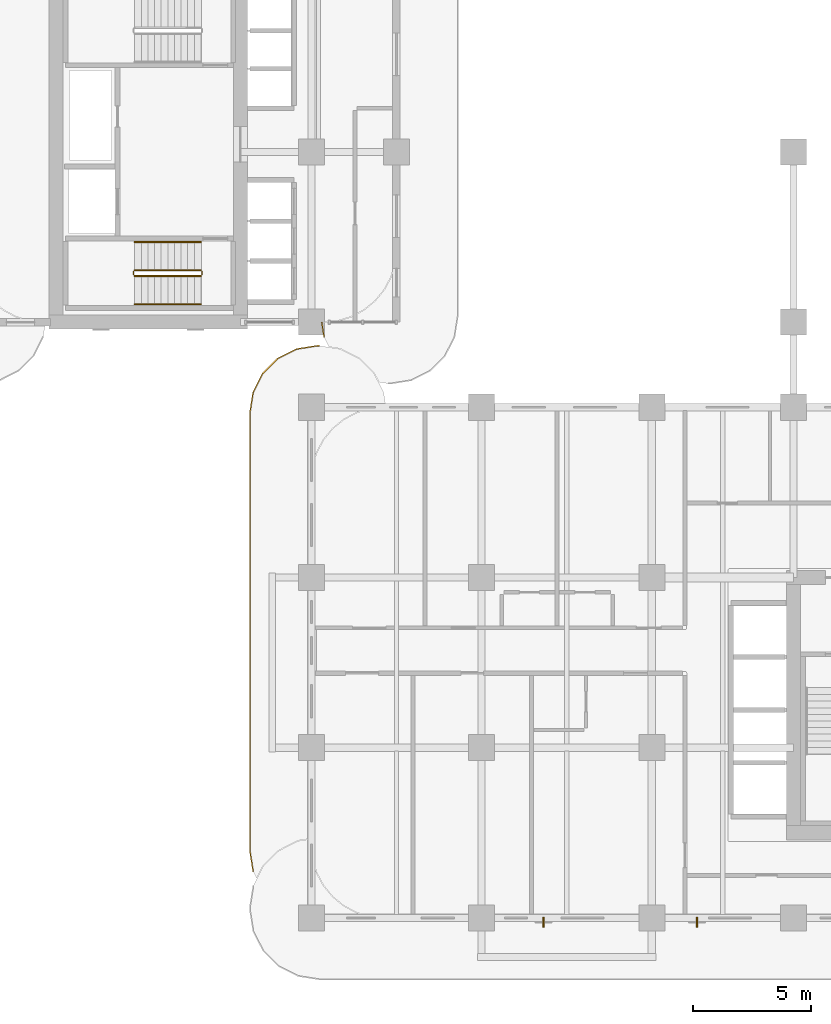
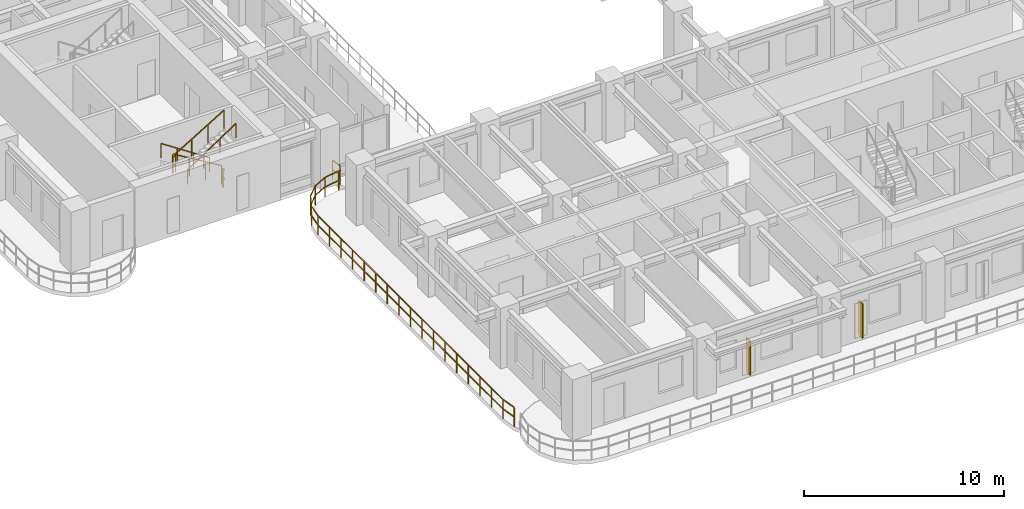
# One storey, part 13 of 19: 8 railings, 2 shading devices.
"""IFC4 building model written with IfcOpenShell, lengths in metres."""

from ifc_helpers import new_model, si_unit, derived_unit, direction, frame, origin, origin_2d, place, context, subcontext, project, spatial, rectangle, extrude, source, transform, mapped, material, layer, layer_set, type_object, type_shapes, element, save


model = new_model("IFC4")

# Units and contexts
model_context = context("Model", 3, precision=1e-05, world=origin(), true_north=direction((0.0, 1.0)))
body_context = subcontext(model_context, "Body", "Model", "MODEL_VIEW")
ifc_project = project(units=[si_unit("LENGTHUNIT", "METRE"), si_unit("AREAUNIT", "SQUARE_METRE"), si_unit("VOLUMEUNIT", "CUBIC_METRE"), si_unit("PLANEANGLEUNIT", "RADIAN"), si_unit("MASSUNIT", "GRAM", prefix="KILO"), si_unit("THERMODYNAMICTEMPERATUREUNIT", "KELVIN"), si_unit("POWERUNIT", "WATT"), derived_unit("THERMALTRANSMITTANCEUNIT", [(si_unit("POWERUNIT", "WATT"), 1), (si_unit("AREAUNIT", "SQUARE_METRE"), -1), (si_unit("THERMODYNAMICTEMPERATUREUNIT", "KELVIN"), -1)])], contexts=[model_context])

# Site, building, storey
site_placement = place(None, origin())
site = spatial("IfcSite", under=ifc_project, at=site_placement, CompositionType="ELEMENT")
building_placement = place(site_placement, origin())
building = spatial("IfcBuilding", under=site, at=building_placement, Name="Zahravan Archway Hotel and Residences", CompositionType="ELEMENT")
storey_placement = place(building_placement, frame((0.0, 0.0, 54.60009765625)))
storey = spatial("IfcBuildingStorey", under=building, at=storey_placement, Name="L12", CompositionType="ELEMENT", Elevation=54.60009765625)

# Railings
ifc_material_1 = material(Name="Bronze & Laminated Glass Balustrade", Category="glass")
railing_type_1 = type_object("IfcRailingType", Name="RL-BAL-1200", PredefinedType="BALUSTRADE", material=ifc_material_1)
railing_1_placement = place(storey_placement, frame((11.939453125, 1.96923828125, 0.0)))
element("IfcRailing", 1, at=railing_1_placement, inside=storey, type_object=railing_type_1, Name="L12 Balustrade RL-SLB-BAL-L12-WA-1", PredefinedType="BALUSTRADE", context=body_context, shape_type="SweptSolid", body=[
    extrude(rectangle(XDim=0.048095703125, YDim=0.048095703125, at=origin_2d()), frame((0.0, 0.0, 1.17578125), z_axis=(-0.156314005608, 0.987707411965, 0.0), x_axis=(-0.987707411965, -0.156314005608, 0.0)), (0.0, 0.0, 1.0), 0.891845703125),
    extrude(rectangle(XDim=0.048095703125, YDim=0.048095703125, at=origin_2d()), frame((0.0, 0.0, 0.60009765625), z_axis=(-0.156314005608, 0.987707411965, 0.0), x_axis=(-0.987707411965, -0.156314005608, 0.0)), (0.0, 0.0, 1.0), 0.891845703125),
    extrude(rectangle(XDim=0.048095703125, YDim=0.048095703125, at=origin_2d()), frame((-0.139404296875, 0.880859375, 1.17578125), z_axis=(0.0, 1.0, 0.0), x_axis=(-1.0, 0.0, 0.0)), (0.0, 0.0, 1.0), 18.5),
    extrude(rectangle(XDim=0.048095703125, YDim=0.048095703125, at=origin_2d()), frame((-0.139404296875, 0.880859375, 0.60009765625), z_axis=(0.0, 1.0, 0.0), x_axis=(-1.0, 0.0, 0.0)), (0.0, 0.0, 1.0), 18.5),
    extrude(rectangle(XDim=0.048095703125, YDim=0.048095703125, at=origin_2d()), frame((-0.139404296875, 19.380859375, 1.17578125), z_axis=(0.156356282588, 0.987700720307, 0.0), x_axis=(-0.987700720307, 0.156356282588, 0.0)), (0.0, 0.0, 1.0), 0.8916015625),
    extrude(rectangle(XDim=0.048095703125, YDim=0.048095703125, at=origin_2d()), frame((-0.139404296875, 19.380859375, 0.60009765625), z_axis=(0.156356282588, 0.987700720307, 0.0), x_axis=(-0.987700720307, 0.156356282588, 0.0)), (0.0, 0.0, 1.0), 0.8916015625),
    extrude(rectangle(XDim=0.048095703125, YDim=0.048095703125, at=origin_2d()), frame((0.0, 20.261474609375, 1.17578125), z_axis=(0.453991409995, 0.891006060389, 0.0), x_axis=(-0.891006060389, 0.453991409995, 0.0)), (0.0, 0.0, 1.0), 0.8916015625),
    extrude(rectangle(XDim=0.048095703125, YDim=0.048095703125, at=origin_2d()), frame((0.0, 20.261474609375, 0.60009765625), z_axis=(0.453991409995, 0.891006060389, 0.0), x_axis=(-0.891006060389, 0.453991409995, 0.0)), (0.0, 0.0, 1.0), 0.8916015625),
    extrude(rectangle(XDim=0.048095703125, YDim=0.048095703125, at=origin_2d()), frame((0.40478515625, 21.055908203125, 1.17578125), z_axis=(0.707106781187, 0.707106781187, 0.0), x_axis=(-0.707106781187, 0.707106781187, 0.0)), (0.0, 0.0, 1.0), 0.891845703125),
    extrude(rectangle(XDim=0.048095703125, YDim=0.048095703125, at=origin_2d()), frame((0.40478515625, 21.055908203125, 0.60009765625), z_axis=(0.707106781187, 0.707106781187, 0.0), x_axis=(-0.707106781187, 0.707106781187, 0.0)), (0.0, 0.0, 1.0), 0.891845703125),
    extrude(rectangle(XDim=0.048095703125, YDim=0.048095703125, at=origin_2d()), frame((1.035400390625, 21.6865234375, 1.17578125), z_axis=(0.891006060389, 0.453991409995, 0.0), x_axis=(-0.453991409995, 0.891006060389, 0.0)), (0.0, 0.0, 1.0), 0.8916015625),
    extrude(rectangle(XDim=0.048095703125, YDim=0.048095703125, at=origin_2d()), frame((1.035400390625, 21.6865234375, 0.60009765625), z_axis=(0.891006060389, 0.453991409995, 0.0), x_axis=(-0.453991409995, 0.891006060389, 0.0)), (0.0, 0.0, 1.0), 0.8916015625),
    extrude(rectangle(XDim=0.048095703125, YDim=0.048095703125, at=origin_2d()), frame((1.829833984375, 22.09130859375, 1.17578125), z_axis=(0.987700720307, 0.156356282588, 0.0), x_axis=(-0.156356282588, 0.987700720307, 0.0)), (0.0, 0.0, 1.0), 0.8916015625),
    extrude(rectangle(XDim=0.048095703125, YDim=0.048095703125, at=origin_2d()), frame((1.829833984375, 22.09130859375, 0.60009765625), z_axis=(0.987700720307, 0.156356282588, 0.0), x_axis=(-0.156356282588, 0.987700720307, 0.0)), (0.0, 0.0, 1.0), 0.8916015625),
    extrude(rectangle(XDim=0.048095703125, YDim=0.048095703125, at=origin_2d()), frame((2.71044921875, 22.230712890625, 1.17578125), z_axis=(1.0, 0.0, 0.0), x_axis=(0.0, 1.0, 0.0)), (0.0, 0.0, 1.0), 0.10009765625),
    extrude(rectangle(XDim=0.048095703125, YDim=0.048095703125, at=origin_2d()), frame((2.71044921875, 22.230712890625, 0.60009765625), z_axis=(1.0, 0.0, 0.0), x_axis=(0.0, 1.0, 0.0)), (0.0, 0.0, 1.0), 0.10009765625),
    extrude(rectangle(XDim=0.0419921875, YDim=0.0419921875, at=origin_2d()), origin(), (0.0, 0.0, 1.0), 1.15185546875),
    extrude(rectangle(XDim=0.0419921875, YDim=0.0419921875, at=origin_2d()), frame((-0.139404296875, 0.880859375, 0.0)), (0.0, 0.0, 1.0), 1.15185546875),
    extrude(rectangle(XDim=0.0419921875, YDim=0.0419921875, at=origin_2d()), frame((-0.139404296875, 2.037109375, 0.0)), (0.0, 0.0, 1.0), 1.15185546875),
    extrude(rectangle(XDim=0.0419921875, YDim=0.0419921875, at=origin_2d()), frame((-0.139404296875, 3.193359375, 0.0)), (0.0, 0.0, 1.0), 1.15185546875),
    extrude(rectangle(XDim=0.0419921875, YDim=0.0419921875, at=origin_2d()), frame((-0.139404296875, 4.349609375, 0.0)), (0.0, 0.0, 1.0), 1.15185546875),
    extrude(rectangle(XDim=0.0419921875, YDim=0.0419921875, at=origin_2d()), frame((-0.139404296875, 5.505859375, 0.0)), (0.0, 0.0, 1.0), 1.15185546875),
    extrude(rectangle(XDim=0.0419921875, YDim=0.0419921875, at=origin_2d()), frame((-0.139404296875, 6.662109375, 0.0)), (0.0, 0.0, 1.0), 1.15185546875),
    extrude(rectangle(XDim=0.0419921875, YDim=0.0419921875, at=origin_2d()), frame((-0.139404296875, 7.818359375, 0.0)), (0.0, 0.0, 1.0), 1.15185546875),
    extrude(rectangle(XDim=0.0419921875, YDim=0.0419921875, at=origin_2d()), frame((-0.139404296875, 8.974609375, 0.0)), (0.0, 0.0, 1.0), 1.15185546875),
    extrude(rectangle(XDim=0.0419921875, YDim=0.0419921875, at=origin_2d()), frame((-0.139404296875, 10.130859375, 0.0)), (0.0, 0.0, 1.0), 1.15185546875),
    extrude(rectangle(XDim=0.0419921875, YDim=0.0419921875, at=origin_2d()), frame((-0.139404296875, 11.287109375, 0.0)), (0.0, 0.0, 1.0), 1.15185546875),
    extrude(rectangle(XDim=0.0419921875, YDim=0.0419921875, at=origin_2d()), frame((-0.139404296875, 12.443359375, 0.0)), (0.0, 0.0, 1.0), 1.15185546875),
    extrude(rectangle(XDim=0.0419921875, YDim=0.0419921875, at=origin_2d()), frame((-0.139404296875, 13.599609375, 0.0)), (0.0, 0.0, 1.0), 1.15185546875),
    extrude(rectangle(XDim=0.0419921875, YDim=0.0419921875, at=origin_2d()), frame((-0.139404296875, 14.755859375, 0.0)), (0.0, 0.0, 1.0), 1.15185546875),
    extrude(rectangle(XDim=0.0419921875, YDim=0.0419921875, at=origin_2d()), frame((-0.139404296875, 15.912109375, 0.0)), (0.0, 0.0, 1.0), 1.15185546875),
    extrude(rectangle(XDim=0.0419921875, YDim=0.0419921875, at=origin_2d()), frame((-0.139404296875, 17.068359375, 0.0)), (0.0, 0.0, 1.0), 1.15185546875),
    extrude(rectangle(XDim=0.0419921875, YDim=0.0419921875, at=origin_2d()), frame((-0.139404296875, 18.224609375, 0.0)), (0.0, 0.0, 1.0), 1.15185546875),
    extrude(rectangle(XDim=0.0419921875, YDim=0.0419921875, at=origin_2d()), frame((-0.139404296875, 19.380859375, 0.0)), (0.0, 0.0, 1.0), 1.15185546875),
    extrude(rectangle(XDim=0.0419921875, YDim=0.0419921875, at=origin_2d()), frame((0.0, 20.261474609375, 0.0)), (0.0, 0.0, 1.0), 1.15185546875),
    extrude(rectangle(XDim=0.0419921875, YDim=0.0419921875, at=origin_2d()), frame((0.40478515625, 21.055908203125, 0.0)), (0.0, 0.0, 1.0), 1.15185546875),
    extrude(rectangle(XDim=0.0419921875, YDim=0.0419921875, at=origin_2d()), frame((1.035400390625, 21.6865234375, 0.0)), (0.0, 0.0, 1.0), 1.15185546875),
    extrude(rectangle(XDim=0.0419921875, YDim=0.0419921875, at=origin_2d()), frame((1.829833984375, 22.09130859375, 0.0)), (0.0, 0.0, 1.0), 1.15185546875),
    extrude(rectangle(XDim=0.0419921875, YDim=0.0419921875, at=origin_2d()), frame((2.71044921875, 22.230712890625, 0.0)), (0.0, 0.0, 1.0), 1.15185546875),
])
railing_2_placement = place(storey_placement, frame((14.939453125, 24.5693359375, 0.0)))
element("IfcRailing", 2, at=railing_2_placement, inside=storey, type_object=railing_type_1, Name="L12 Balustrade RL-SLB-BAL-L12-EB-1", PredefinedType="BALUSTRADE", context=body_context, shape_type="SweptSolid", body=[
    extrude(rectangle(XDim=0.048095703125, YDim=0.048095703125, at=origin_2d()), frame((0.0, 0.0, 1.17578125), z_axis=(-0.156388432473, 0.987695630338, 0.0), x_axis=(-0.987695630338, -0.156388432473, 0.0)), (0.0, 0.0, 1.0), 0.6181640625),
    extrude(rectangle(XDim=0.048095703125, YDim=0.048095703125, at=origin_2d()), frame((0.0, 0.0, 0.60009765625), z_axis=(-0.156388432473, 0.987695630338, 0.0), x_axis=(-0.987695630338, -0.156388432473, 0.0)), (0.0, 0.0, 1.0), 0.6181640625),
    extrude(rectangle(XDim=0.0419921875, YDim=0.0419921875, at=origin_2d()), origin(), (0.0, 0.0, 1.0), 1.15185546875),
    extrude(rectangle(XDim=0.0419921875, YDim=0.0419921875, at=origin_2d()), frame((-0.0966796875, 0.610595703125, 0.0)), (0.0, 0.0, 1.0), 1.15185546875),
])
ifc_material_2 = material(Name="Painted Tubular Steel", Category="steel")
railing_type_2 = type_object("IfcRailingType", Name="RL-STG-1150", PredefinedType="GUARDRAIL", material=ifc_material_2)
railing_3_placement = place(storey_placement, frame((9.72998046875, 27.389892578125, 0.16796875)))
element("IfcRailing", 3, at=railing_3_placement, inside=storey, type_object=railing_type_2, Name="L12 ST-B1 stair guard 1", PredefinedType="GUARDRAIL", context=body_context, shape_type="SweptSolid", body=[
    extrude(rectangle(XDim=0.048095703125, YDim=0.048095703125, at=origin_2d()), frame((0.0, 0.0, 1.1259765625), z_axis=(-0.857242210791, 0.0, 0.514913383045), x_axis=(0.0, -1.0, 0.0)), (0.0, 0.0, 1.0), 3.266357421875),
    extrude(rectangle(XDim=0.0419921875, YDim=0.0419921875, at=origin_2d()), origin(), (0.0, 0.0, 1.0), 1.101806640625),
    extrude(rectangle(XDim=0.0419921875, YDim=0.0419921875, at=origin_2d()), frame((-0.933349609375, 0.0, 0.560546875)), (0.0, 0.0, 1.0), 1.101806640625),
    extrude(rectangle(XDim=0.0419921875, YDim=0.0419921875, at=origin_2d()), frame((-1.86669921875, 0.0, 1.121337890625)), (0.0, 0.0, 1.0), 1.101806640625),
    extrude(rectangle(XDim=0.0419921875, YDim=0.0419921875, at=origin_2d()), frame((-2.800048828125, 0.0, 1.681884765625)), (0.0, 0.0, 1.0), 1.101806640625),
])
railing_4_placement = place(storey_placement, frame((6.8798828125, 27.340087890625, 1.849853515625)))
element("IfcRailing", 4, at=railing_4_placement, inside=storey, type_object=railing_type_2, Name="L12 ST-B1 stair guard 2", PredefinedType="GUARDRAIL", context=body_context, shape_type="SweptSolid", body=[
    extrude(rectangle(XDim=0.048095703125, YDim=0.048095703125, at=origin_2d()), frame((0.0, 0.0, 1.1259765625), z_axis=(0.0, -1.0, 0.0), x_axis=(1.0, 0.0, 0.0)), (0.0, 0.0, 1.0), 0.14013671875),
    extrude(rectangle(XDim=0.048095703125, YDim=0.048095703125, at=origin_2d()), frame((0.0, 0.0, 0.574951171875), z_axis=(0.0, -1.0, 0.0), x_axis=(1.0, 0.0, 0.0)), (0.0, 0.0, 1.0), 0.14013671875),
    extrude(rectangle(XDim=0.0419921875, YDim=0.0419921875, at=origin_2d()), origin(), (0.0, 0.0, 1.0), 1.101806640625),
])
railing_5_placement = place(storey_placement, frame((6.929931640625, 27.14990234375, 2.01806640625)))
element("IfcRailing", 5, at=railing_5_placement, inside=storey, type_object=railing_type_2, Name="L12 ST-B1 stair guard 3", PredefinedType="GUARDRAIL", context=body_context, shape_type="SweptSolid", body=[
    extrude(rectangle(XDim=0.048095703125, YDim=0.048095703125, at=origin_2d()), frame((0.0, 0.0, 1.1259765625), z_axis=(0.857242210791, 0.0, 0.514913383045), x_axis=(0.0, 1.0, 0.0)), (0.0, 0.0, 1.0), 3.266357421875),
    extrude(rectangle(XDim=0.0419921875, YDim=0.0419921875, at=origin_2d()), origin(), (0.0, 0.0, 1.0), 1.101806640625),
    extrude(rectangle(XDim=0.0419921875, YDim=0.0419921875, at=origin_2d()), frame((0.933349609375, 0.0, 0.560546875)), (0.0, 0.0, 1.0), 1.101806640625),
    extrude(rectangle(XDim=0.0419921875, YDim=0.0419921875, at=origin_2d()), frame((1.86669921875, 0.0, 1.121337890625)), (0.0, 0.0, 1.0), 1.101806640625),
    extrude(rectangle(XDim=0.0419921875, YDim=0.0419921875, at=origin_2d()), frame((2.800048828125, 0.0, 1.681884765625)), (0.0, 0.0, 1.0), 1.101806640625),
])
railing_6_placement = place(storey_placement, frame((9.780029296875, 27.340087890625, 0.0)))
element("IfcRailing", 6, at=railing_6_placement, inside=storey, type_object=railing_type_2, Name="L12 ST-B1 stair guard 4", PredefinedType="GUARDRAIL", context=body_context, shape_type="SweptSolid", body=[
    extrude(rectangle(XDim=0.048095703125, YDim=0.048095703125, at=origin_2d()), frame((0.0, 0.0, 1.1259765625), z_axis=(0.0, -1.0, 0.0), x_axis=(1.0, 0.0, 0.0)), (0.0, 0.0, 1.0), 0.14013671875),
    extrude(rectangle(XDim=0.048095703125, YDim=0.048095703125, at=origin_2d()), frame((0.0, 0.0, 0.574951171875), z_axis=(0.0, -1.0, 0.0), x_axis=(1.0, 0.0, 0.0)), (0.0, 0.0, 1.0), 0.14013671875),
    extrude(rectangle(XDim=0.0419921875, YDim=0.0419921875, at=origin_2d()), origin(), (0.0, 0.0, 1.0), 1.101806640625),
])
ifc_material_3 = material(Name="Brushed Stainless Steel", Category="steel")
railing_type_3 = type_object("IfcRailingType", Name="RL-STH-900", PredefinedType="HANDRAIL", material=ifc_material_3)
railing_7_placement = place(storey_placement, frame((9.72998046875, 28.590087890625, 0.16796875)))
element("IfcRailing", 7, at=railing_7_placement, inside=storey, type_object=railing_type_3, Name="L12 ST-B1 stair handrail 1", PredefinedType="HANDRAIL", context=body_context, shape_type="SweptSolid", body=[
    extrude(rectangle(XDim=0.048095703125, YDim=0.048095703125, at=origin_2d()), frame((0.0, 0.0, 0.8759765625), z_axis=(-0.834326358476, 0.0, 0.551270829586), x_axis=(0.0, -1.0, 0.0)), (0.0, 0.0, 1.0), 3.35595703125),
    extrude(rectangle(XDim=0.0419921875, YDim=0.0419921875, at=origin_2d()), origin(), (0.0, 0.0, 1.0), 0.851806640625),
    extrude(rectangle(XDim=0.0419921875, YDim=0.0419921875, at=origin_2d()), frame((-0.933349609375, 0.0, 0.61669921875)), (0.0, 0.0, 1.0), 0.851806640625),
    extrude(rectangle(XDim=0.0419921875, YDim=0.0419921875, at=origin_2d()), frame((-1.86669921875, 0.0, 1.2333984375)), (0.0, 0.0, 1.0), 0.851806640625),
    extrude(rectangle(XDim=0.0419921875, YDim=0.0419921875, at=origin_2d()), frame((-2.800048828125, 0.0, 1.85009765625)), (0.0, 0.0, 1.0), 0.851806640625),
])
railing_8_placement = place(storey_placement, frame((6.929931640625, 25.949951171875, 2.01806640625)))
element("IfcRailing", 8, at=railing_8_placement, inside=storey, type_object=railing_type_3, Name="L12 ST-B1 stair handrail 2", PredefinedType="HANDRAIL", context=body_context, shape_type="SweptSolid", body=[
    extrude(rectangle(XDim=0.048095703125, YDim=0.048095703125, at=origin_2d()), frame((0.0, 0.0, 0.8759765625), z_axis=(0.834326358476, 0.0, 0.551270829586), x_axis=(0.0, 1.0, 0.0)), (0.0, 0.0, 1.0), 3.35595703125),
    extrude(rectangle(XDim=0.0419921875, YDim=0.0419921875, at=origin_2d()), origin(), (0.0, 0.0, 1.0), 0.851806640625),
    extrude(rectangle(XDim=0.0419921875, YDim=0.0419921875, at=origin_2d()), frame((0.933349609375, 0.0, 0.61669921875)), (0.0, 0.0, 1.0), 0.851806640625),
    extrude(rectangle(XDim=0.0419921875, YDim=0.0419921875, at=origin_2d()), frame((1.86669921875, 0.0, 1.2333984375)), (0.0, 0.0, 1.0), 0.851806640625),
    extrude(rectangle(XDim=0.0419921875, YDim=0.0419921875, at=origin_2d()), frame((2.800048828125, 0.0, 1.85009765625)), (0.0, 0.0, 1.0), 0.851806640625),
])

# Shading devices
ifc_material_4 = material(Name="Terracotta & Bronze Solar Brise-Soleil", Category="masonry")
ifc_layer = layer(ifc_material_4, 0.06005859375, Name="Terracotta & Bronze Solar Brise-Soleil", Category="masonry")
ifc_layer_set = layer_set([ifc_layer], Name="Terracotta & Bronze Solar Brise-Soleil")
shading_device_type = type_object("IfcShadingDeviceType", Name="SHD-MASH-FIN", PredefinedType="JALOUSIE", material=ifc_layer_set)
shared_shape = source(origin(), body_context, "Body", "SweptSolid", [
    extrude(rectangle(XDim=0.06005859375, YDim=0.419921875, at=origin_2d()), origin(), (0.0, 0.0, 1.0), 2.10009765625),
])
type_shapes(shading_device_type, [shared_shape])
for number, where, z_axis, x_axis, name in (
    (9, (24.22802734375, -0.177978515625, 0.249755859375), (0.0, 0.0, 1.0), (1.0, 0.0, 0.0), "L12 Solar Mashrabiya Fin 01"),
    (10, (30.7080078125, -0.177978515625, 0.249755859375), (0.0, 0.0, 1.0), (1.0, 0.0, 0.0), "L12 Solar Mashrabiya Fin 02"),
):
    element("IfcShadingDevice", number, at=place(storey_placement, frame(where, z_axis=z_axis, x_axis=x_axis)), inside=storey, type_object=shading_device_type, Name=name, PredefinedType="JALOUSIE", context=body_context, shape_type="MappedRepresentation", body=[
        mapped(shared_shape, transform((0.0, 0.0, 0.0), scale=1.0)),
    ])

save(model, "model.ifc")
